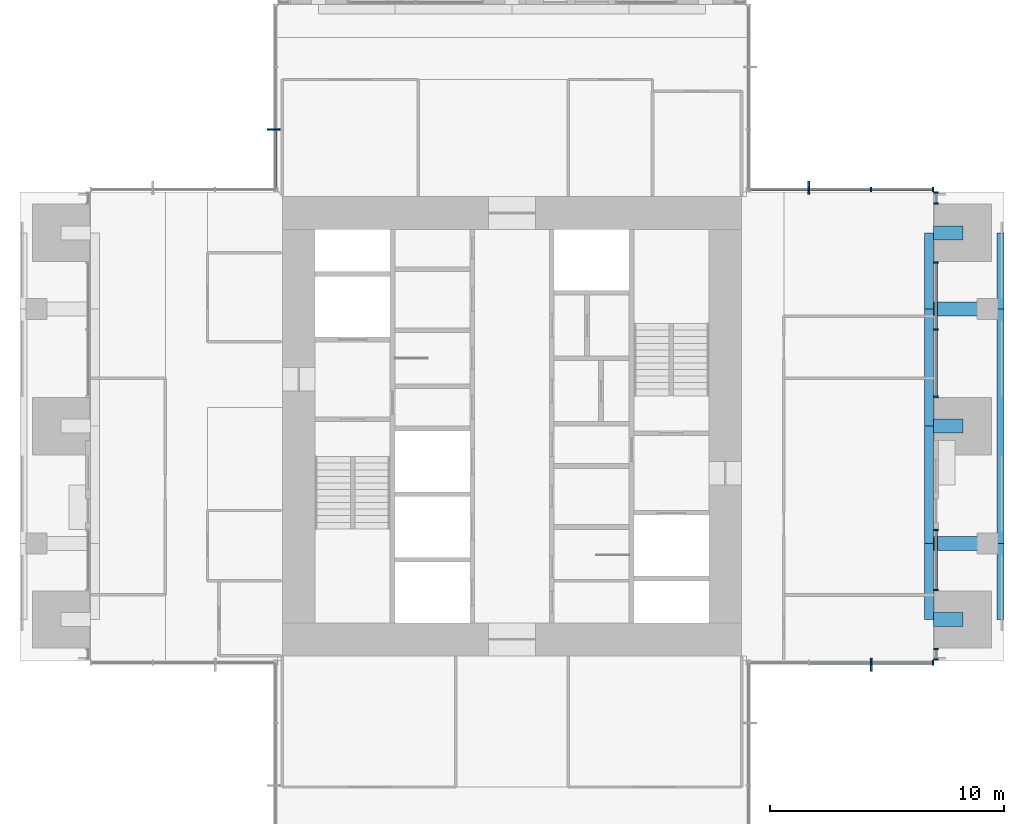
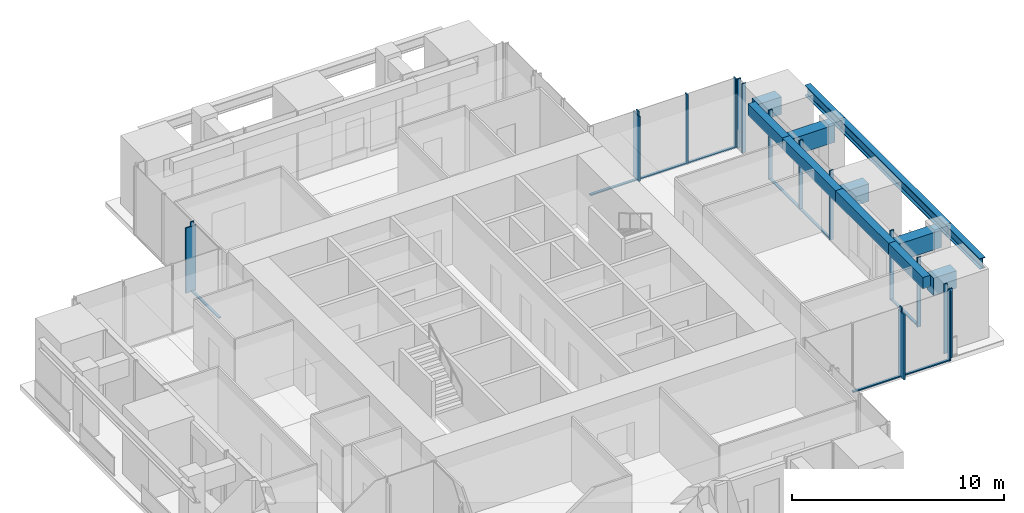
# One storey, part 4 of 17: 27 members, 12 beams, 7 elements without a shape of their own.
"""IFC4 building model written with IfcOpenShell, lengths in metres."""

import ifcopenshell
import ifcopenshell.guid

model = None  # the IFC model being written
_history = None  # IfcOwnerHistory: only IFC2X3 demands one
_inside = {}  # id of a spatial element -> (the spatial element, [elements in it])
_under = {}  # id of a project, library or spatial element -> (it, [spatial elements below it])
_declared = {}  # id of a project -> (the project, [libraries it declares])
_typed = {}  # id of a type object -> (the type object, [elements of that type])
_made_of = {}  # id of a material, layer set ... -> (it, [elements and type objects made of it])


def new_model(schema):
    """Start an empty IFC model of exactly this schema.

    Asked for "IFC4X3", IfcOpenShell would pick the latest addendum, in which some entities
    have other attributes; the version numbers below select the first issue.
    IFC2X3 requires an IfcOwnerHistory on every rooted entity: one is made here for all.
    """
    global model, _history
    if schema == "IFC4X3":
        model = ifcopenshell.file(schema_version=(4, 3, 0, 0))
    else:
        model = ifcopenshell.file(schema=schema)
    _inside.clear()
    _under.clear()
    _declared.clear()
    _typed.clear()
    _made_of.clear()
    _history = None
    if model.schema == "IFC2X3":
        org = make("IfcOrganization", Name="unknown")
        user = make(
            "IfcPersonAndOrganization",
            ThePerson=make("IfcPerson", FamilyName="unknown"),
            TheOrganization=org,
        )
        app = make(
            "IfcApplication",
            ApplicationDeveloper=org,
            Version="unknown",
            ApplicationFullName="unknown",
            ApplicationIdentifier="unknown",
        )
        _history = make(
            "IfcOwnerHistory",
            OwningUser=user,
            OwningApplication=app,
            ChangeAction="ADDED",
            CreationDate=0,
        )
    return model


def make(cls, **values):
    """One entity of the class cls with the attributes given. An attribute that is None is left unset."""
    return model.create_entity(
        cls, **{name: value for name, value in values.items() if value is not None}
    )


def rooted(cls, **values):
    """An entity with a GlobalId (a new one), such as an element, a storey or a relation."""
    return make(cls, GlobalId=ifcopenshell.guid.new(), OwnerHistory=_history, **values)


def si_unit(unit_type, name, prefix=None):
    """IfcSIUnit, for example si_unit("LENGTHUNIT", "METRE", prefix="MILLI")."""
    return make("IfcSIUnit", UnitType=unit_type, Prefix=prefix, Name=name)


def assignment(units):
    """IfcUnitAssignment: the units of a project."""
    return None if units is None else make("IfcUnitAssignment", Units=units)


def point(xyz):
    """IfcCartesianPoint."""
    return None if xyz is None else make("IfcCartesianPoint", Coordinates=xyz)


def direction(xyz):
    """IfcDirection."""
    return None if xyz is None else make("IfcDirection", DirectionRatios=xyz)


def frame(location, z_axis=None, x_axis=None):
    """IfcAxis2Placement3D, a coordinate frame: its origin and axes. An axis left out is left unset."""
    return make(
        "IfcAxis2Placement3D",
        Location=point(location),
        Axis=direction(z_axis),
        RefDirection=direction(x_axis),
    )


def frame_2d(location, x_axis=None):
    """IfcAxis2Placement2D, a coordinate frame in the plane: its origin and x axis."""
    return make(
        "IfcAxis2Placement2D", Location=point(location), RefDirection=direction(x_axis)
    )


def origin():
    """The frame at (0, 0, 0) with its axes left unset."""
    return frame((0.0, 0.0, 0.0))


def origin_2d():
    """The frame at (0, 0) in the plane with its x axis left unset."""
    return frame_2d((0.0, 0.0))


def place(relative_to, where):
    """IfcLocalPlacement: puts the frame where relative to a parent placement (None: the world)."""
    return make(
        "IfcLocalPlacement", PlacementRelTo=relative_to, RelativePlacement=where
    )


def context(
    kind, dimensions, precision=None, world=None, true_north=None, identifier=None
):
    """IfcGeometricRepresentationContext, for example the 3D "Model" context."""
    return make(
        "IfcGeometricRepresentationContext",
        ContextIdentifier=identifier,
        ContextType=kind,
        CoordinateSpaceDimension=dimensions,
        Precision=precision,
        WorldCoordinateSystem=world,
        TrueNorth=true_north,
    )


def subcontext(parent, identifier, kind, view, scale=None):
    """IfcGeometricRepresentationSubContext, for example "Body" below "Model"."""
    return make(
        "IfcGeometricRepresentationSubContext",
        ContextIdentifier=identifier,
        ContextType=kind,
        ParentContext=parent,
        TargetScale=scale,
        TargetView=view,
    )


def project(units=None, contexts=None):
    """IfcProject with its units and contexts."""
    return rooted(
        "IfcProject",
        Name="project",
        RepresentationContexts=contexts,
        UnitsInContext=assignment(units),
    )


def spatial(cls, under=None, at=None, **own):
    """A site, building, storey or space (cls), placed at a placement, below another one or the project."""
    s = rooted(cls, ObjectPlacement=at, **own)
    if under is not None:
        _under.setdefault(under.id(), (under, []))[1].append(s)
    return s


def profile(cls, at=None, kind="AREA", **sizes):
    """A parametric profile (cls). Its sizes go by their IFC names, for example OverallWidth=200.0."""
    return make(cls, ProfileType=kind, Position=at, **sizes)


def rectangle(**sizes):
    """IfcRectangleProfileDef."""
    return profile("IfcRectangleProfileDef", **sizes)


def i_section(**sizes):
    """IfcIShapeProfileDef."""
    return profile("IfcIShapeProfileDef", **sizes)


def extrude(swept, where, along, depth):
    """IfcExtrudedAreaSolid: the profile swept, set in the frame where, extruded along a direction by depth."""
    return make(
        "IfcExtrudedAreaSolid",
        SweptArea=swept,
        Position=where,
        ExtrudedDirection=direction(along),
        Depth=depth,
    )


def shape(context_of_items, identifier, shape_type, items):
    """IfcShapeRepresentation: the items that make up one representation, for example the "Body"."""
    return make(
        "IfcShapeRepresentation",
        ContextOfItems=context_of_items,
        RepresentationIdentifier=identifier,
        RepresentationType=shape_type,
        Items=items,
    )


def material(Name=None, Category=None):
    """IfcMaterial."""
    return make("IfcMaterial", Name=Name, Category=Category)


def material_profile(
    of_material, cross_section, Name=None, Category=None, Priority=None
):
    """IfcMaterialProfile: a cross section and its material."""
    return make(
        "IfcMaterialProfile",
        Name=Name,
        Material=of_material,
        Profile=cross_section,
        Priority=Priority,
        Category=Category,
    )


def profile_set(profiles, Name=None, composite=None):
    """IfcMaterialProfileSet."""
    return make(
        "IfcMaterialProfileSet",
        Name=Name,
        MaterialProfiles=profiles,
        CompositeProfile=composite,
    )


def made_of(thing, what):
    """Note that an element or type object is made of a material, layer set ...; save() writes the relation."""
    if what is not None:
        _made_of.setdefault(what.id(), (what, []))[1].append(thing)
    return thing


def type_object(cls, material=None, **own):
    """A type object (cls), such as IfcWallType, which elements share."""
    return made_of(rooted(cls, **own), material)


def element(
    cls,
    number,
    at=None,
    inside=None,
    cuts=None,
    type_object=None,
    material=None,
    context=None,
    identifier="Body",
    shape_type=None,
    held_by="IfcProductDefinitionShape",
    body=None,
    shapes=None,
    **own,
):
    """One element of the class cls, such as IfcWall. Its Tag is "e" and its number.

    at: its placement. inside: the storey or other place that contains it. cuts: it is an
    opening in that element (IfcRelVoidsElement). A single representation is given by context,
    identifier, shape_type and body (its items); several are given by shapes. held_by: the class
    of the entity that holds the representations. save() writes the other relations.
    """
    e = rooted(cls, Tag="e%d" % number, ObjectPlacement=at, **own)
    if body is not None:
        shapes = [shape(context, identifier, shape_type, body)]
    if shapes is not None:
        e.Representation = make(held_by, Representations=shapes)
    if inside is not None:
        _inside.setdefault(inside.id(), (inside, []))[1].append(e)
    if cuts is not None:
        rooted(
            "IfcRelVoidsElement", RelatingBuildingElement=cuts, RelatedOpeningElement=e
        )
    if type_object is not None:
        _typed.setdefault(type_object.id(), (type_object, []))[1].append(e)
    return made_of(e, material)


def aggregate(whole, parts):
    """IfcRelAggregates: a whole, such as a stair, and the parts it consists of."""
    return rooted("IfcRelAggregates", RelatingObject=whole, RelatedObjects=parts)


def save(model, path):
    """Write the relations noted so far, then the file.

    IfcRelAggregates (storeys below a building ...), IfcRelContainedInSpatialStructure (elements
    in a storey), IfcRelDefinesByType, IfcRelAssociatesMaterial and IfcRelDeclares: one each for
    every whole, place, type object, material and project.
    """
    for whole, parts in _under.values():
        aggregate(whole, parts)
    for where, things in _inside.values():
        rooted(
            "IfcRelContainedInSpatialStructure",
            RelatedElements=things,
            RelatingStructure=where,
        )
    for kind, things in _typed.values():
        rooted("IfcRelDefinesByType", RelatedObjects=things, RelatingType=kind)
    for what, things in _made_of.values():
        rooted("IfcRelAssociatesMaterial", RelatedObjects=things, RelatingMaterial=what)
    for by, libraries in _declared.values():
        rooted("IfcRelDeclares", RelatingContext=by, RelatedDefinitions=libraries)
    model.write(path)


model = new_model("IFC4")

# Units and contexts
model_context = context("Model", 3, precision=1e-05, world=origin(), true_north=direction((0.0, 1.0)))
body_context = subcontext(model_context, "Body", "Model", "MODEL_VIEW")
ifc_project = project(units=[si_unit("LENGTHUNIT", "METRE"), si_unit("AREAUNIT", "SQUARE_METRE"), si_unit("VOLUMEUNIT", "CUBIC_METRE"), si_unit("PLANEANGLEUNIT", "RADIAN"), si_unit("MASSUNIT", "GRAM", prefix="KILO")], contexts=[model_context])

# Site, building, storey
site_placement = place(None, origin())
site = spatial("IfcSite", under=ifc_project, at=site_placement, CompositionType="ELEMENT")
building_placement = place(site_placement, origin())
building = spatial("IfcBuilding", under=site, at=building_placement, Name="Svetlomir Tower", CompositionType="ELEMENT")
storey_placement = place(building_placement, frame((0.0, 0.0, 210.5)))
storey = spatial("IfcBuildingStorey", under=building, at=storey_placement, Name="L50", CompositionType="ELEMENT", Elevation=210.5)

# Curtain wall, member
ifc_material_1 = material(Name="Bronze anodised aluminium curtain wall", Category="aluminium")
curtain_wall_type = type_object("IfcCurtainWallType", Name="CURTAIN WALL CW1 TOWER OFFICE", PredefinedType="NOTDEFINED", material=ifc_material_1)
curtain_wall_1_placement = place(storey_placement, origin())
curtain_wall_1 = element("IfcCurtainWall", 1, at=curtain_wall_1_placement, inside=storey, type_object=curtain_wall_type, Name="Curtain wall CW1 L50", PredefinedType="NOTDEFINED")
ifc_material_2 = material(Name="Bronze anodised aluminium", Category="aluminium")
ifc_material_profile_1 = material_profile(ifc_material_2, rectangle(XDim=0.080078125, YDim=0.550048828125, at=origin_2d()), Name="FIN 80x550")
ifc_profile_set_1 = profile_set([ifc_material_profile_1], Name="Bronze anodised aluminium 6063-T6")
member_type_1 = type_object("IfcMemberType", Name="BRONZE FIN 80x550", PredefinedType="USERDEFINED", material=ifc_profile_set_1)
member_1_placement = place(storey_placement, frame((36.333251953125, 10.824951171875, 0.0), z_axis=(0.0, 0.0, 1.0), x_axis=(1.0, 0.0, 0.0)))
member_1 = element("IfcMember", 2, at=member_1_placement, type_object=member_type_1, Name="Bronze fin L50", ObjectType="FIN", PredefinedType="USERDEFINED", context=body_context, shape_type="SweptSolid", body=[
    extrude(rectangle(XDim=0.080078125, YDim=0.550048828125, at=origin_2d()), origin(), (0.0, 0.0, 1.0), 3.75),
])

curtain_wall_2_placement = place(storey_placement, origin())
curtain_wall_2 = element("IfcCurtainWall", 3, at=curtain_wall_2_placement, inside=storey, type_object=curtain_wall_type, Name="Curtain wall CW1 L50", PredefinedType="NOTDEFINED")
member_2_placement = place(storey_placement, frame((33.666748046875, 31.175048828125, 0.0), z_axis=(0.0, 0.0, 1.0), x_axis=(1.0, 0.0, 0.0)))
member_2 = element("IfcMember", 4, at=member_2_placement, type_object=member_type_1, Name="Bronze fin L50", ObjectType="FIN", PredefinedType="USERDEFINED", context=body_context, shape_type="SweptSolid", body=[
    extrude(rectangle(XDim=0.080078125, YDim=0.550048828125, at=origin_2d()), origin(), (0.0, 0.0, 1.0), 3.75),
])

curtain_wall_3_placement = place(storey_placement, origin())
curtain_wall_3 = element("IfcCurtainWall", 5, at=curtain_wall_3_placement, inside=storey, type_object=curtain_wall_type, Name="Curtain wall CW1 L50", PredefinedType="NOTDEFINED")
member_3_placement = place(storey_placement, frame((10.824951171875, 33.666748046875, 0.0), z_axis=(0.0, 0.0, 1.0), x_axis=(0.0, 1.0, 0.0)))
member_3 = element("IfcMember", 6, at=member_3_placement, type_object=member_type_1, Name="Bronze fin L50", ObjectType="FIN", PredefinedType="USERDEFINED", context=body_context, shape_type="SweptSolid", body=[
    extrude(rectangle(XDim=0.080078125, YDim=0.550048828125, at=origin_2d()), origin(), (0.0, 0.0, 1.0), 3.75),
])

# Member
ifc_material_3 = material(Name="Bronze anodised aluminium", Category="aluminium")
ifc_material_profile_2 = material_profile(ifc_material_3, rectangle(XDim=0.06494140625, YDim=0.199951171875, at=origin_2d()), Name="AL 65x200")
ifc_profile_set_2 = profile_set([ifc_material_profile_2], Name="Bronze anodised aluminium 6063-T6")
member_type_2 = type_object("IfcMemberType", Name="CW1 MULLION 65x200", PredefinedType="MULLION", material=ifc_profile_set_2)
member_4_placement = place(storey_placement, frame((36.333251953125, 10.89990234375, 0.0), z_axis=(0.0, 0.0, 1.0), x_axis=(1.0, 0.0, 0.0)))
member_4 = element("IfcMember", 7, at=member_4_placement, type_object=member_type_2, Name="CW1 mullion 3", PredefinedType="MULLION", context=body_context, shape_type="SweptSolid", body=[
    extrude(rectangle(XDim=0.06494140625, YDim=0.199951171875, at=origin_2d()), origin(), (0.0, 0.0, 1.0), 4.0),
])

member_5_placement = place(storey_placement, frame((38.967529296875, 10.89990234375, 0.0), z_axis=(0.0, 0.0, 1.0), x_axis=(1.0, 0.0, 0.0)))
member_5 = element("IfcMember", 8, at=member_5_placement, type_object=member_type_2, Name="CW1 mullion 4", PredefinedType="MULLION", context=body_context, shape_type="SweptSolid", body=[
    extrude(rectangle(XDim=0.06494140625, YDim=0.199951171875, at=origin_2d()), origin(), (0.0, 0.0, 1.0), 4.0),
])

# Curtain wall, members
curtain_wall_4_placement = place(storey_placement, origin())
curtain_wall_4 = element("IfcCurtainWall", 9, at=curtain_wall_4_placement, inside=storey, type_object=curtain_wall_type, Name="Curtain wall CW1 L50", PredefinedType="NOTDEFINED")
member_6_placement = place(storey_placement, frame((39.10009765625, 11.032470703125, 0.0), z_axis=(0.0, 0.0, 1.0), x_axis=(0.0, 1.0, 0.0)))
member_6 = element("IfcMember", 10, at=member_6_placement, type_object=member_type_2, Name="CW1 mullion 1", PredefinedType="MULLION", context=body_context, shape_type="SweptSolid", body=[
    extrude(rectangle(XDim=0.06494140625, YDim=0.199951171875, at=origin_2d()), origin(), (0.0, 0.0, 1.0), 4.0),
])
member_7_placement = place(storey_placement, frame((39.10009765625, 11.492431640625, 0.0), z_axis=(0.0, 0.0, 1.0), x_axis=(0.0, 1.0, 0.0)))
member_7 = element("IfcMember", 11, at=member_7_placement, type_object=member_type_2, Name="CW1 mullion 2", PredefinedType="MULLION", context=body_context, shape_type="SweptSolid", body=[
    extrude(rectangle(XDim=0.06494140625, YDim=0.199951171875, at=origin_2d()), origin(), (0.0, 0.0, 1.0), 4.0),
])
aggregate(curtain_wall_4, [member_6, member_7])

curtain_wall_5_placement = place(storey_placement, origin())
curtain_wall_5 = element("IfcCurtainWall", 12, at=curtain_wall_5_placement, inside=storey, type_object=curtain_wall_type, Name="Curtain wall CW1 L50", PredefinedType="NOTDEFINED")
member_8_placement = place(storey_placement, frame((39.10009765625, 14.007568359375, 0.0), z_axis=(0.0, 0.0, 1.0), x_axis=(0.0, 1.0, 0.0)))
member_8 = element("IfcMember", 13, at=member_8_placement, type_object=member_type_2, Name="CW1 mullion 1", PredefinedType="MULLION", context=body_context, shape_type="SweptSolid", body=[
    extrude(rectangle(XDim=0.06494140625, YDim=0.199951171875, at=origin_2d()), origin(), (0.0, 0.0, 1.0), 4.0),
])
member_9_placement = place(storey_placement, frame((39.10009765625, 16.5673828125, 0.0), z_axis=(0.0, 0.0, 1.0), x_axis=(0.0, 1.0, 0.0)))
member_9 = element("IfcMember", 14, at=member_9_placement, type_object=member_type_2, Name="CW1 mullion 2", PredefinedType="MULLION", context=body_context, shape_type="SweptSolid", body=[
    extrude(rectangle(XDim=0.06494140625, YDim=0.199951171875, at=origin_2d()), origin(), (0.0, 0.0, 1.0), 4.0),
])

curtain_wall_6_placement = place(storey_placement, origin())
curtain_wall_6 = element("IfcCurtainWall", 15, at=curtain_wall_6_placement, inside=storey, type_object=curtain_wall_type, Name="Curtain wall CW1 L50", PredefinedType="NOTDEFINED")
member_10_placement = place(storey_placement, frame((39.10009765625, 22.257568359375, 0.0), z_axis=(0.0, 0.0, 1.0), x_axis=(0.0, 1.0, 0.0)))
member_10 = element("IfcMember", 16, at=member_10_placement, type_object=member_type_2, Name="CW1 mullion 1", PredefinedType="MULLION", context=body_context, shape_type="SweptSolid", body=[
    extrude(rectangle(XDim=0.06494140625, YDim=0.199951171875, at=origin_2d()), origin(), (0.0, 0.0, 1.0), 4.0),
])
member_11_placement = place(storey_placement, frame((39.10009765625, 25.125, 0.0), z_axis=(0.0, 0.0, 1.0), x_axis=(0.0, 1.0, 0.0)))
member_11 = element("IfcMember", 17, at=member_11_placement, type_object=member_type_2, Name="CW1 mullion 2", PredefinedType="MULLION", context=body_context, shape_type="SweptSolid", body=[
    extrude(rectangle(XDim=0.06494140625, YDim=0.199951171875, at=origin_2d()), origin(), (0.0, 0.0, 1.0), 4.0),
])
member_12_placement = place(storey_placement, frame((39.10009765625, 27.992431640625, 0.0), z_axis=(0.0, 0.0, 1.0), x_axis=(0.0, 1.0, 0.0)))
member_12 = element("IfcMember", 18, at=member_12_placement, type_object=member_type_2, Name="CW1 mullion 3", PredefinedType="MULLION", context=body_context, shape_type="SweptSolid", body=[
    extrude(rectangle(XDim=0.06494140625, YDim=0.199951171875, at=origin_2d()), origin(), (0.0, 0.0, 1.0), 4.0),
])

curtain_wall_7_placement = place(storey_placement, origin())
curtain_wall_7 = element("IfcCurtainWall", 19, at=curtain_wall_7_placement, inside=storey, type_object=curtain_wall_type, Name="Curtain wall CW1 L50", PredefinedType="NOTDEFINED")
member_13_placement = place(storey_placement, frame((39.10009765625, 30.507568359375, 0.0), z_axis=(0.0, 0.0, 1.0), x_axis=(0.0, 1.0, 0.0)))
member_13 = element("IfcMember", 20, at=member_13_placement, type_object=member_type_2, Name="CW1 mullion 1", PredefinedType="MULLION", context=body_context, shape_type="SweptSolid", body=[
    extrude(rectangle(XDim=0.06494140625, YDim=0.199951171875, at=origin_2d()), origin(), (0.0, 0.0, 1.0), 4.0),
])
member_14_placement = place(storey_placement, frame((39.10009765625, 30.967529296875, 0.0), z_axis=(0.0, 0.0, 1.0), x_axis=(0.0, 1.0, 0.0)))
member_14 = element("IfcMember", 21, at=member_14_placement, type_object=member_type_2, Name="CW1 mullion 2", PredefinedType="MULLION", context=body_context, shape_type="SweptSolid", body=[
    extrude(rectangle(XDim=0.06494140625, YDim=0.199951171875, at=origin_2d()), origin(), (0.0, 0.0, 1.0), 4.0),
])
aggregate(curtain_wall_7, [member_13, member_14])

# Member
member_15_placement = place(storey_placement, frame((38.967529296875, 31.10009765625, 0.0), z_axis=(0.0, 0.0, 1.0), x_axis=(-1.0, 0.0, 0.0)))
member_15 = element("IfcMember", 22, at=member_15_placement, type_object=member_type_2, Name="CW1 mullion 1", PredefinedType="MULLION", context=body_context, shape_type="SweptSolid", body=[
    extrude(rectangle(XDim=0.06494140625, YDim=0.199951171875, at=origin_2d()), origin(), (0.0, 0.0, 1.0), 4.0),
])

member_16_placement = place(storey_placement, frame((36.333251953125, 31.10009765625, 0.0), z_axis=(0.0, 0.0, 1.0), x_axis=(-1.0, 0.0, 0.0)))
member_16 = element("IfcMember", 23, at=member_16_placement, type_object=member_type_2, Name="CW1 mullion 2", PredefinedType="MULLION", context=body_context, shape_type="SweptSolid", body=[
    extrude(rectangle(XDim=0.06494140625, YDim=0.199951171875, at=origin_2d()), origin(), (0.0, 0.0, 1.0), 4.0),
])

member_17_placement = place(storey_placement, frame((33.666748046875, 31.10009765625, 0.0), z_axis=(0.0, 0.0, 1.0), x_axis=(-1.0, 0.0, 0.0)))
member_17 = element("IfcMember", 24, at=member_17_placement, type_object=member_type_2, Name="CW1 mullion 3", PredefinedType="MULLION", context=body_context, shape_type="SweptSolid", body=[
    extrude(rectangle(XDim=0.06494140625, YDim=0.199951171875, at=origin_2d()), origin(), (0.0, 0.0, 1.0), 4.0),
])

member_18_placement = place(storey_placement, frame((10.89990234375, 33.666748046875, 0.0), z_axis=(0.0, 0.0, 1.0), x_axis=(0.0, -1.0, 0.0)))
member_18 = element("IfcMember", 25, at=member_18_placement, type_object=member_type_2, Name="CW1 mullion 3", PredefinedType="MULLION", context=body_context, shape_type="SweptSolid", body=[
    extrude(rectangle(XDim=0.06494140625, YDim=0.199951171875, at=origin_2d()), origin(), (0.0, 0.0, 1.0), 4.0),
])

ifc_material_4 = material(Name="Bronze anodised aluminium", Category="aluminium")
ifc_material_profile_3 = material_profile(ifc_material_4, rectangle(XDim=0.139892578125, YDim=0.06494140625, at=origin_2d()), Name="AL 140x65")
ifc_profile_set_3 = profile_set([ifc_material_profile_3], Name="Bronze anodised aluminium 6063-T6")
member_type_3 = type_object("IfcMemberType", Name="CW1 TRANSOM 65x140", PredefinedType="USERDEFINED", material=ifc_profile_set_3)
member_19_placement = place(storey_placement, frame((33.69921875, 10.89990234375, 0.032470703125), z_axis=(1.0, 0.0, 0.0), x_axis=(0.0, 1.0, 0.0)))
member_19 = element("IfcMember", 26, at=member_19_placement, type_object=member_type_3, Name="CW1 transom 2.1", ObjectType="TRANSOM", PredefinedType="USERDEFINED", context=body_context, shape_type="SweptSolid", body=[
    extrude(rectangle(XDim=0.139892578125, YDim=0.06494140625, at=origin_2d()), origin(), (0.0, 0.0, 1.0), 2.6015625),
])

member_20_placement = place(storey_placement, frame((36.36572265625, 10.89990234375, 0.032470703125), z_axis=(1.0, 0.0, 0.0), x_axis=(0.0, 1.0, 0.0)))
member_20 = element("IfcMember", 27, at=member_20_placement, type_object=member_type_3, Name="CW1 transom 3.1", ObjectType="TRANSOM", PredefinedType="USERDEFINED", context=body_context, shape_type="SweptSolid", body=[
    extrude(rectangle(XDim=0.139892578125, YDim=0.06494140625, at=origin_2d()), origin(), (0.0, 0.0, 1.0), 2.5693359375),
])

aggregate(curtain_wall_1, [member_4, member_5, member_19, member_20, member_1])

member_21_placement = place(storey_placement, frame((39.10009765625, 14.0400390625, 0.032470703125), z_axis=(0.0, 1.0, 0.0), x_axis=(-1.0, 0.0, 0.0)))
member_21 = element("IfcMember", 28, at=member_21_placement, type_object=member_type_3, Name="CW1 transom 1.1", ObjectType="TRANSOM", PredefinedType="USERDEFINED", context=body_context, shape_type="SweptSolid", body=[
    extrude(rectangle(XDim=0.139892578125, YDim=0.06494140625, at=origin_2d()), origin(), (0.0, 0.0, 1.0), 2.494873046875),
])

aggregate(curtain_wall_5, [member_8, member_9, member_21])

member_22_placement = place(storey_placement, frame((39.10009765625, 22.2900390625, 0.032470703125), z_axis=(0.0, 1.0, 0.0), x_axis=(-1.0, 0.0, 0.0)))
member_22 = element("IfcMember", 29, at=member_22_placement, type_object=member_type_3, Name="CW1 transom 1.1", ObjectType="TRANSOM", PredefinedType="USERDEFINED", context=body_context, shape_type="SweptSolid", body=[
    extrude(rectangle(XDim=0.139892578125, YDim=0.06494140625, at=origin_2d()), origin(), (0.0, 0.0, 1.0), 2.802490234375),
])

member_23_placement = place(storey_placement, frame((39.10009765625, 25.157470703125, 0.032470703125), z_axis=(0.0, 1.0, 0.0), x_axis=(-1.0, 0.0, 0.0)))
member_23 = element("IfcMember", 30, at=member_23_placement, type_object=member_type_3, Name="CW1 transom 2.1", ObjectType="TRANSOM", PredefinedType="USERDEFINED", context=body_context, shape_type="SweptSolid", body=[
    extrude(rectangle(XDim=0.139892578125, YDim=0.06494140625, at=origin_2d()), origin(), (0.0, 0.0, 1.0), 2.802490234375),
])

aggregate(curtain_wall_6, [member_10, member_11, member_12, member_22, member_23])

member_24_placement = place(storey_placement, frame((38.93505859375, 31.10009765625, 0.032470703125), z_axis=(-1.0, 0.0, 0.0), x_axis=(0.0, -1.0, 0.0)))
member_24 = element("IfcMember", 31, at=member_24_placement, type_object=member_type_3, Name="CW1 transom 1.1", ObjectType="TRANSOM", PredefinedType="USERDEFINED", context=body_context, shape_type="SweptSolid", body=[
    extrude(rectangle(XDim=0.139892578125, YDim=0.06494140625, at=origin_2d()), origin(), (0.0, 0.0, 1.0), 2.5693359375),
])

member_25_placement = place(storey_placement, frame((36.30078125, 31.10009765625, 0.032470703125), z_axis=(-1.0, 0.0, 0.0), x_axis=(0.0, -1.0, 0.0)))
member_25 = element("IfcMember", 32, at=member_25_placement, type_object=member_type_3, Name="CW1 transom 2.1", ObjectType="TRANSOM", PredefinedType="USERDEFINED", context=body_context, shape_type="SweptSolid", body=[
    extrude(rectangle(XDim=0.139892578125, YDim=0.06494140625, at=origin_2d()), origin(), (0.0, 0.0, 1.0), 2.6015625),
])

member_26_placement = place(storey_placement, frame((33.63427734375, 31.10009765625, 0.032470703125), z_axis=(-1.0, 0.0, 0.0), x_axis=(0.0, -1.0, 0.0)))
member_26 = element("IfcMember", 33, at=member_26_placement, type_object=member_type_3, Name="CW1 transom 3.1", ObjectType="TRANSOM", PredefinedType="USERDEFINED", context=body_context, shape_type="SweptSolid", body=[
    extrude(rectangle(XDim=0.139892578125, YDim=0.06494140625, at=origin_2d()), origin(), (0.0, 0.0, 1.0), 2.5693359375),
])

aggregate(curtain_wall_2, [member_15, member_16, member_17, member_24, member_25, member_26, member_2])

member_27_placement = place(storey_placement, frame((10.89990234375, 33.63427734375, 0.032470703125), z_axis=(0.0, -1.0, 0.0), x_axis=(1.0, 0.0, 0.0)))
member_27 = element("IfcMember", 34, at=member_27_placement, type_object=member_type_3, Name="CW1 transom 3.1", ObjectType="TRANSOM", PredefinedType="USERDEFINED", context=body_context, shape_type="SweptSolid", body=[
    extrude(rectangle(XDim=0.139892578125, YDim=0.06494140625, at=origin_2d()), origin(), (0.0, 0.0, 1.0), 2.5693359375),
])

aggregate(curtain_wall_3, [member_18, member_27, member_3])

# Beams
ifc_material_5 = material(Name="Steel S355", Category="steel")
ifc_material_profile_4 = material_profile(ifc_material_5, i_section(OverallWidth=0.304931640625, OverallDepth=0.6201171875, WebThickness=0.02099609375, FlangeThickness=0.0400390625, FilletRadius=0.027099609375, at=origin_2d()), Name="HEM 600")
ifc_profile_set_4 = profile_set([ifc_material_profile_4], Name="Steel S355")
beam_type_1 = type_object("IfcBeamType", Name="EDGE BEAM HEM 600", PredefinedType="SPANDREL", material=ifc_profile_set_4)
beam_1_placement = place(storey_placement, frame((41.847412109375, 12.75, 3.43994140625), z_axis=(0.0, 1.0, 0.0), x_axis=(-1.0, 0.0, 0.0)))
element("IfcBeam", 35, at=beam_1_placement, inside=storey, type_object=beam_type_1, Name="Edge beam 42/11 to 42/16 under L51", PredefinedType="SPANDREL", context=body_context, shape_type="SweptSolid", body=[
    extrude(i_section(OverallWidth=0.304931640625, OverallDepth=0.6201171875, WebThickness=0.02099609375, FlangeThickness=0.0400390625, FilletRadius=0.027099609375, at=origin_2d()), origin(), (0.0, 0.0, 1.0), 3.25),
])
beam_2_placement = place(storey_placement, frame((41.847412109375, 16.0, 3.43994140625), z_axis=(0.0, 1.0, 0.0), x_axis=(-1.0, 0.0, 0.0)))
element("IfcBeam", 36, at=beam_2_placement, inside=storey, type_object=beam_type_1, Name="Edge beam 42/16 to 42/26 under L51", PredefinedType="SPANDREL", context=body_context, shape_type="SweptSolid", body=[
    extrude(i_section(OverallWidth=0.304931640625, OverallDepth=0.6201171875, WebThickness=0.02099609375, FlangeThickness=0.0400390625, FilletRadius=0.027099609375, at=origin_2d()), origin(), (0.0, 0.0, 1.0), 10.0),
])
beam_3_placement = place(storey_placement, frame((41.847412109375, 26.0, 3.43994140625), z_axis=(0.0, 1.0, 0.0), x_axis=(-1.0, 0.0, 0.0)))
element("IfcBeam", 37, at=beam_3_placement, inside=storey, type_object=beam_type_1, Name="Edge beam 42/26 to 42/31 under L51", PredefinedType="SPANDREL", context=body_context, shape_type="SweptSolid", body=[
    extrude(i_section(OverallWidth=0.304931640625, OverallDepth=0.6201171875, WebThickness=0.02099609375, FlangeThickness=0.0400390625, FilletRadius=0.027099609375, at=origin_2d()), origin(), (0.0, 0.0, 1.0), 3.25),
])
ifc_material_6 = material(Name="Concrete C60/75", Category="concrete")
ifc_material_profile_5 = material_profile(ifc_material_6, rectangle(XDim=0.39990234375, YDim=0.64990234375, at=origin_2d()), Name="RC 400x650")
ifc_profile_set_5 = profile_set([ifc_material_profile_5], Name="Concrete C60/75")
beam_type_2 = type_object("IfcBeamType", Name="FACADE EDGE BEAM RC 400x650", PredefinedType="BEAM", material=ifc_profile_set_5)
beam_4_placement = place(storey_placement, frame((38.800048828125, 12.75, 3.425048828125), z_axis=(0.0, 1.0, 0.0), x_axis=(-1.0, 0.0, 0.0)))
element("IfcBeam", 38, at=beam_4_placement, inside=storey, type_object=beam_type_2, Name="Facade edge beam E 11 to 16 under L51", PredefinedType="BEAM", context=body_context, shape_type="SweptSolid", body=[
    extrude(rectangle(XDim=0.39990234375, YDim=0.64990234375, at=origin_2d()), origin(), (0.0, 0.0, 1.0), 3.25),
])
for number, where, z_axis, x_axis, name in (
    (39, (38.800048828125, 16.0, 3.425048828125), (0.0, 1.0, 0.0), (-1.0, 0.0, 0.0), "Facade edge beam E 16 to 21 under L51"),
    (40, (38.800048828125, 21.0, 3.425048828125), (0.0, 1.0, 0.0), (-1.0, 0.0, 0.0), "Facade edge beam E 21 to 26 under L51"),
):
    element("IfcBeam", number, at=place(storey_placement, frame(where, z_axis=z_axis, x_axis=x_axis)), inside=storey, type_object=beam_type_2, Name=name, PredefinedType="BEAM", context=body_context, shape_type="SweptSolid", body=[
        extrude(rectangle(XDim=0.39990234375, YDim=0.64990234375, at=origin_2d()), origin(), (0.0, 0.0, 1.0), 5.0),
    ])
beam_5_placement = place(storey_placement, frame((38.800048828125, 26.0, 3.425048828125), z_axis=(0.0, 1.0, 0.0), x_axis=(-1.0, 0.0, 0.0)))
element("IfcBeam", 41, at=beam_5_placement, inside=storey, type_object=beam_type_2, Name="Facade edge beam E 26 to 31 under L51", PredefinedType="BEAM", context=body_context, shape_type="SweptSolid", body=[
    extrude(rectangle(XDim=0.39990234375, YDim=0.64990234375, at=origin_2d()), origin(), (0.0, 0.0, 1.0), 3.25),
])
ifc_material_7 = material(Name="Concrete C60/75", Category="concrete")
ifc_material_profile_6 = material_profile(ifc_material_7, rectangle(XDim=0.60009765625, YDim=1.0, at=origin_2d()), Name="RC 600x1000")
ifc_profile_set_6 = profile_set([ifc_material_profile_6], Name="Concrete C60/75")
beam_type_3 = type_object("IfcBeamType", Name="LOGGIA LINK BEAM RC 600x1000", PredefinedType="BEAM", material=ifc_profile_set_6)
beam_6_placement = place(storey_placement, frame((40.25, 12.75, 3.25), z_axis=(-1.0, 0.0, 0.0), x_axis=(0.0, -1.0, 0.0)))
element("IfcBeam", 42, at=beam_6_placement, inside=storey, type_object=beam_type_3, Name="Loggia link beam E 11 under L51", PredefinedType="BEAM", context=body_context, shape_type="SweptSolid", body=[
    extrude(rectangle(XDim=0.60009765625, YDim=1.0, at=origin_2d()), origin(), (0.0, 0.0, 1.0), 1.25),
])
beam_7_placement = place(storey_placement, frame((41.300048828125, 16.0, 3.25), z_axis=(-1.0, 0.0, 0.0), x_axis=(0.0, -1.0, 0.0)))
element("IfcBeam", 43, at=beam_7_placement, inside=storey, type_object=beam_type_3, Name="Loggia link beam E 16 under L51", PredefinedType="BEAM", context=body_context, shape_type="SweptSolid", body=[
    extrude(rectangle(XDim=0.60009765625, YDim=1.0, at=origin_2d()), origin(), (0.0, 0.0, 1.0), 2.300048828125),
])
beam_8_placement = place(storey_placement, frame((40.25, 21.0, 3.25), z_axis=(-1.0, 0.0, 0.0), x_axis=(0.0, -1.0, 0.0)))
element("IfcBeam", 44, at=beam_8_placement, inside=storey, type_object=beam_type_3, Name="Loggia link beam E 21 under L51", PredefinedType="BEAM", context=body_context, shape_type="SweptSolid", body=[
    extrude(rectangle(XDim=0.60009765625, YDim=1.0, at=origin_2d()), origin(), (0.0, 0.0, 1.0), 1.25),
])
beam_9_placement = place(storey_placement, frame((41.300048828125, 26.0, 3.25), z_axis=(-1.0, 0.0, 0.0), x_axis=(0.0, -1.0, 0.0)))
element("IfcBeam", 45, at=beam_9_placement, inside=storey, type_object=beam_type_3, Name="Loggia link beam E 26 under L51", PredefinedType="BEAM", context=body_context, shape_type="SweptSolid", body=[
    extrude(rectangle(XDim=0.60009765625, YDim=1.0, at=origin_2d()), origin(), (0.0, 0.0, 1.0), 2.300048828125),
])
beam_10_placement = place(storey_placement, frame((40.25, 29.25, 3.25), z_axis=(-1.0, 0.0, 0.0), x_axis=(0.0, -1.0, 0.0)))
element("IfcBeam", 46, at=beam_10_placement, inside=storey, type_object=beam_type_3, Name="Loggia link beam E 31 under L51", PredefinedType="BEAM", context=body_context, shape_type="SweptSolid", body=[
    extrude(rectangle(XDim=0.60009765625, YDim=1.0, at=origin_2d()), origin(), (0.0, 0.0, 1.0), 1.25),
])

save(model, "model.ifc")
